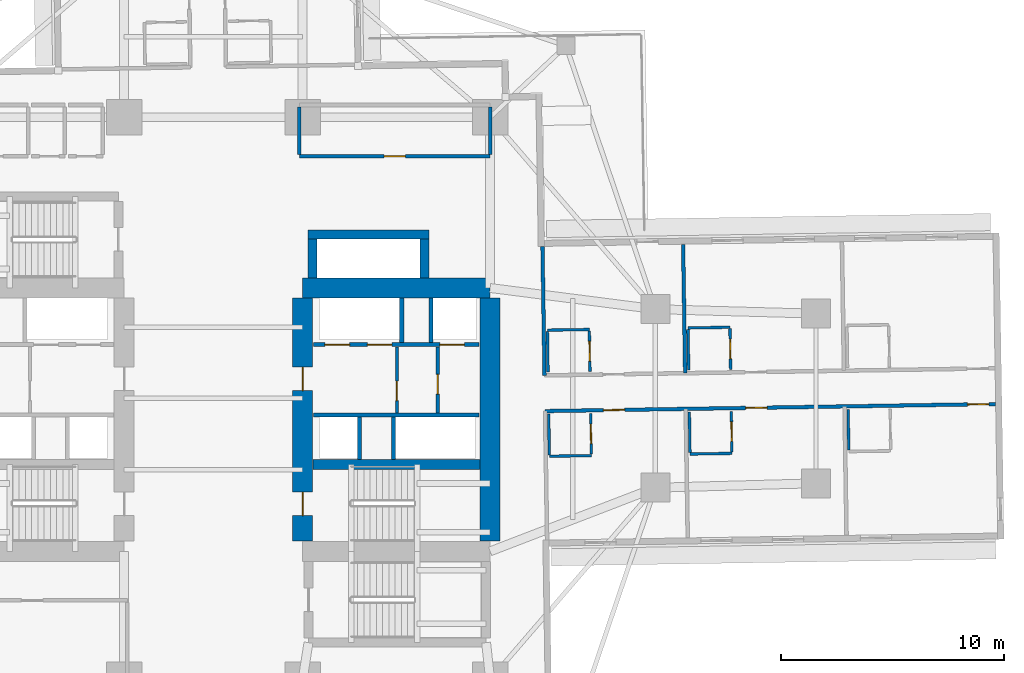
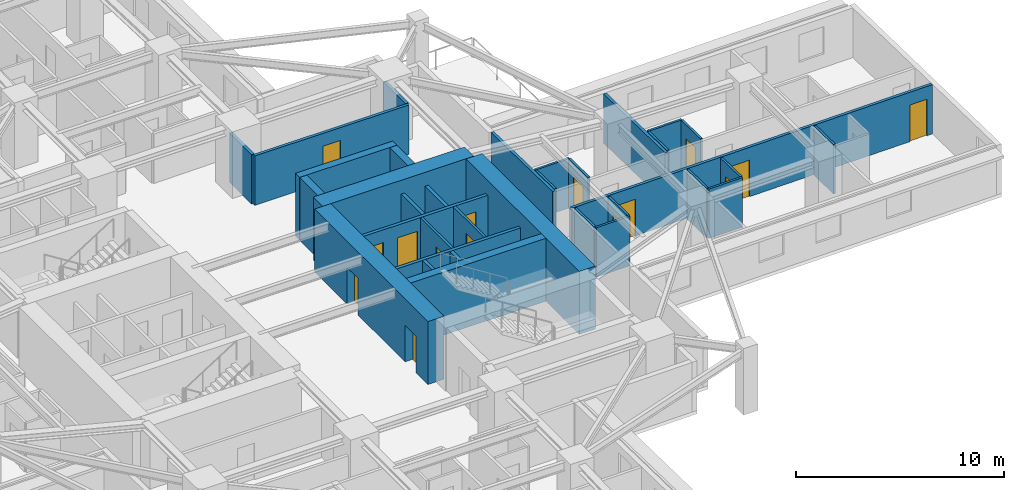
# One storey, part 7 of 14: 34 walls, 15 doors, 15 openings.
"""IFC4 building model written with IfcOpenShell, lengths in metres."""

from ifc_helpers import new_model, si_unit, direction, frame, frame_2d, origin, place, context, subcontext, project, spatial, rectangle, extrude, material, layer, layer_set, type_object, element, fill, save


model = new_model("IFC4")

# Units and contexts
model_context = context("Model", 3, precision=1e-05, world=origin(), true_north=direction((0.0, 1.0)))
body_context = subcontext(model_context, "Body", "Model", "MODEL_VIEW")
ifc_project = project(units=[si_unit("LENGTHUNIT", "METRE"), si_unit("AREAUNIT", "SQUARE_METRE"), si_unit("VOLUMEUNIT", "CUBIC_METRE"), si_unit("PLANEANGLEUNIT", "RADIAN"), si_unit("MASSUNIT", "GRAM", prefix="KILO")], contexts=[model_context])

# Site, building, storey
site_placement = place(None, origin())
site = spatial("IfcSite", under=ifc_project, at=site_placement, CompositionType="ELEMENT")
building_placement = place(site_placement, origin())
building = spatial("IfcBuilding", under=site, at=building_placement, Name="Qingluan Cross Belvedere", CompositionType="ELEMENT")
storey_placement = place(building_placement, frame((0.0, 0.0, 27.60009765625)))
storey = spatial("IfcBuildingStorey", under=building, at=storey_placement, Name="L07", CompositionType="ELEMENT", Elevation=27.60009765625)

# Walls
ifc_material_1 = material(Name="Concrete C50", Category="concrete")
ifc_layer_1 = layer(ifc_material_1, 0.449951171875, Name="CoreShearWall_450")
ifc_layer_set_1 = layer_set([ifc_layer_1], Name="Concrete C50")
wall_type_1 = type_object("IfcWallType", Name="CoreShearWall_450", PredefinedType="SHEAR", material=ifc_layer_set_1)
wall_1_placement = place(storey_placement, frame((4.455078125, -2.9599609375, 0.0), z_axis=(0.0, 0.0, 1.0), x_axis=(1.0, 0.0, 0.0)))
element("IfcWall", 1, at=wall_1_placement, inside=storey, type_object=wall_type_1, Name="Split core E shear wall L07-M", PredefinedType="SHEAR", context=body_context, shape_type="SweptSolid", body=[
    extrude(rectangle(XDim=7.489990234375, YDim=0.449951171875, at=frame_2d((3.7451171875, 0.0))), origin(), (0.0, 0.0, 1.0), 3.699951171875),
])
wall_2_placement = place(storey_placement, frame((4.449951171875, 5.405029296875, 0.0), z_axis=(0.0, 0.0, 1.0), x_axis=(0.0, 1.0, 0.0)))
element("IfcWall", 2, at=wall_2_placement, inside=storey, type_object=wall_type_1, Name="Express shuttle core wall L07-W", PredefinedType="SHEAR", context=body_context, shape_type="SweptSolid", body=[
    extrude(rectangle(XDim=1.73486328125, YDim=0.39990234375, at=frame_2d((0.867431640625, 0.0))), origin(), (0.0, 0.0, 1.0), 3.699951171875),
])
wall_3_placement = place(storey_placement, frame((4.25, 7.35009765625, 0.0), z_axis=(0.0, 0.0, 1.0), x_axis=(1.0, 0.0, 0.0)))
element("IfcWall", 3, at=wall_3_placement, inside=storey, type_object=wall_type_1, Name="Express shuttle core wall L07-N", PredefinedType="SHEAR", context=body_context, shape_type="SweptSolid", body=[
    extrude(rectangle(XDim=5.39990234375, YDim=0.39990234375, at=frame_2d((2.699951171875, 0.0))), origin(), (0.0, 0.0, 1.0), 3.699951171875),
])
wall_4_placement = place(storey_placement, frame((9.449951171875, 5.405029296875, 0.0), z_axis=(0.0, 0.0, 1.0), x_axis=(0.0, 1.0, 0.0)))
element("IfcWall", 4, at=wall_4_placement, inside=storey, type_object=wall_type_1, Name="Express shuttle core wall L07-E", PredefinedType="SHEAR", context=body_context, shape_type="SweptSolid", body=[
    extrude(rectangle(XDim=1.73486328125, YDim=0.39990234375, at=frame_2d((0.867431640625, 0.0))), origin(), (0.0, 0.0, 1.0), 3.699951171875),
])
ifc_material_2 = material(Name="Concrete C70", Category="concrete")
ifc_layer_2 = layer(ifc_material_2, 0.89990234375, Name="CoreShearWall_900")
ifc_layer_set_2 = layer_set([ifc_layer_2], Name="Concrete C70")
wall_type_2 = type_object("IfcWallType", Name="CoreShearWall_900", PredefinedType="SHEAR", material=ifc_layer_set_2)
wall_5_placement = place(storey_placement, frame((4.0, 4.949951171875, 0.0), z_axis=(0.0, 0.0, 1.0), x_axis=(1.0, 0.0, 0.0)))
element("IfcWall", 5, at=wall_5_placement, inside=storey, type_object=wall_type_2, Name="Split core E shear wall L07-N", PredefinedType="SHEAR", context=body_context, shape_type="SweptSolid", body=[
    extrude(rectangle(XDim=8.39990234375, YDim=0.89990234375, at=frame_2d((4.199951171875, 0.0))), origin(), (0.0, 0.0, 1.0), 3.699951171875),
])

# Wall, openings, doors
wall_6_placement = place(storey_placement, frame((4.0, -6.39501953125, 0.0), z_axis=(0.0, 0.0, 1.0), x_axis=(0.0, 1.0, 0.0)))
wall_6 = element("IfcWall", 6, at=wall_6_placement, inside=storey, type_object=wall_type_2, Name="Split core E shear wall L07-W", PredefinedType="SHEAR", context=body_context, shape_type="SweptSolid", body=[
    extrude(rectangle(XDim=10.89013671875, YDim=0.89990234375, at=frame_2d((5.445068359375, 0.0))), origin(), (0.0, 0.0, 1.0), 3.699951171875),
])
opening_1_placement = place(wall_6_placement, frame((1.14501953125, 0.0, 0.0)))
opening_1 = element("IfcOpeningElement", 7, at=opening_1_placement, cuts=wall_6, Name="Opening FD-B11", PredefinedType="OPENING", context=body_context, shape_type="SweptSolid", body=[
    extrude(rectangle(XDim=1.050048828125, YDim=2.14990234375, at=frame_2d((0.52490234375, 1.074951171875))), frame((0.0, 0.4599609375, 0.0), z_axis=(0.0, -1.0, 0.0), x_axis=(1.0, 0.0, 0.0)), (0.0, 0.0, 1.0), 0.919921875),
])
opening_2_placement = place(wall_6_placement, frame((6.7451171875, 0.0, 0.0)))
opening_2 = element("IfcOpeningElement", 8, at=opening_2_placement, cuts=wall_6, Name="Opening FD-B11", PredefinedType="OPENING", context=body_context, shape_type="SweptSolid", body=[
    extrude(rectangle(XDim=1.050048828125, YDim=2.14990234375, at=frame_2d((0.52490234375, 1.074951171875))), frame((0.0, 0.4599609375, 0.0), z_axis=(0.0, -1.0, 0.0), x_axis=(1.0, 0.0, 0.0)), (0.0, 0.0, 1.0), 0.919921875),
])
ifc_material_3 = material(Name="Steel Class B smoke-seal fire door", Category="steel")
door_type_1 = type_object("IfcDoorType", Name="StairLobbyFireDoor_FDB", OperationType="NOTDEFINED", PredefinedType="DOOR", material=ifc_material_3)
door_1_placement = place(opening_1_placement, origin())
door_1 = element("IfcDoor", 9, at=door_1_placement, inside=storey, type_object=door_type_1, Name="Smoke-proof stair ST2 fire door L07", OperationType="SINGLE_SWING_LEFT", OverallHeight=2.14990234375, OverallWidth=1.050048828125, PredefinedType="DOOR", context=body_context, shape_type="SweptSolid", body=[
    extrude(rectangle(XDim=1.050048828125, YDim=2.14990234375, at=frame_2d((0.52490234375, 1.074951171875))), frame((0.0, 0.02490234375, 0.0), z_axis=(0.0, -1.0, 0.0), x_axis=(1.0, 0.0, 0.0)), (0.0, 0.0, 1.0), 0.050048828125),
])
fill(opening_1, door_1)
door_2_placement = place(opening_2_placement, origin())
door_2 = element("IfcDoor", 10, at=door_2_placement, inside=storey, type_object=door_type_1, Name="Firefighting lobby East fire door L07", OperationType="SINGLE_SWING_LEFT", OverallHeight=2.14990234375, OverallWidth=1.050048828125, PredefinedType="DOOR", context=body_context, shape_type="SweptSolid", body=[
    extrude(rectangle(XDim=1.050048828125, YDim=2.14990234375, at=frame_2d((0.52490234375, 1.074951171875))), frame((0.0, 0.02490234375, 0.0), z_axis=(0.0, -1.0, 0.0), x_axis=(1.0, 0.0, 0.0)), (0.0, 0.0, 1.0), 0.050048828125),
])
fill(opening_2, door_2)

# Wall
wall_7_placement = place(storey_placement, frame((12.39990234375, -6.39501953125, 0.0), z_axis=(0.0, 0.0, 1.0), x_axis=(0.0, 1.0, 0.0)))
element("IfcWall", 11, at=wall_7_placement, inside=storey, type_object=wall_type_2, Name="Split core E shear wall L07-E", PredefinedType="SHEAR", context=body_context, shape_type="SweptSolid", body=[
    extrude(rectangle(XDim=10.89013671875, YDim=0.89990234375, at=frame_2d((5.445068359375, 0.0))), origin(), (0.0, 0.0, 1.0), 3.699951171875),
])

# Wall, opening, door
ifc_material_4 = material(Name="Gypsum plasterboard on steel stud acoustic partition", Category="steel")
ifc_layer_3 = layer(ifc_material_4, 0.159912109375, Name="CorridorPartition_160")
ifc_layer_set_3 = layer_set([ifc_layer_3], Name="Gypsum plasterboard on steel stud acoustic partition")
wall_type_3 = type_object("IfcWallType", Name="CorridorPartition_160", PredefinedType="PARTITIONING", material=ifc_layer_set_3)
wall_8_placement = place(storey_placement, frame((10.050048828125, -0.652099609375, 0.0), z_axis=(0.0, 0.0, 1.0), x_axis=(0.0, 1.0, 0.0)))
wall_8 = element("IfcWall", 12, at=wall_8_placement, inside=storey, type_object=wall_type_3, Name="Partition L07:ev", PredefinedType="PARTITIONING", context=body_context, shape_type="SweptSolid", body=[
    extrude(rectangle(XDim=2.962158203125, YDim=0.139892578125, at=frame_2d((1.48095703125, 0.0))), origin(), (0.0, 0.0, 1.0), 2.89990234375),
])
opening_3_placement = place(wall_8_placement, frame((0.85009765625, 0.0, 0.0)))
opening_3 = element("IfcOpeningElement", 13, at=opening_3_placement, cuts=wall_8, Name="Opening FD-B10", PredefinedType="OPENING", context=body_context, shape_type="SweptSolid", body=[
    extrude(rectangle(XDim=0.8798828125, YDim=2.10009765625, at=frame_2d((0.43994140625, 1.050048828125))), frame((0.0, 0.079833984375, 0.0), z_axis=(0.0, -1.0, 0.0), x_axis=(1.0, 0.0, 0.0)), (0.0, 0.0, 1.0), 0.159912109375),
])
ifc_material_5 = material(Name="Steel Class B service fire door", Category="steel")
door_type_2 = type_object("IfcDoorType", Name="RiserServiceFireDoor_FDB", OperationType="NOTDEFINED", PredefinedType="DOOR", material=ifc_material_5)
door_3_placement = place(opening_3_placement, origin())
door_3 = element("IfcDoor", 14, at=door_3_placement, inside=storey, type_object=door_type_2, Name="Service closet inner door L07", OperationType="SINGLE_SWING_LEFT", OverallHeight=2.10009765625, OverallWidth=0.8798828125, PredefinedType="DOOR", context=body_context, shape_type="SweptSolid", body=[
    extrude(rectangle(XDim=0.8798828125, YDim=2.10009765625, at=frame_2d((0.43994140625, 1.050048828125))), frame((0.0, 0.02490234375, 0.0), z_axis=(0.0, -1.0, 0.0), x_axis=(1.0, 0.0, 0.0)), (0.0, 0.0, 1.0), 0.050048828125),
])
fill(opening_3, door_3)

wall_9_placement = place(storey_placement, frame((3.85009765625, 10.85009765625, 0.0), z_axis=(0.0, 0.0, 1.0), x_axis=(1.0, 0.0, 0.0)))
wall_9 = element("IfcWall", 15, at=wall_9_placement, inside=storey, type_object=wall_type_3, Name="Partition L07:q_ne:S", PredefinedType="PARTITIONING", context=body_context, shape_type="SweptSolid", body=[
    extrude(rectangle(XDim=8.5498046875, YDim=0.159912109375, at=frame_2d((4.27490234375, 0.0))), origin(), (0.0, 0.0, 1.0), 2.89990234375),
])
opening_4_placement = place(wall_9_placement, frame((3.794921875, 0.0, 0.0)))
opening_4 = element("IfcOpeningElement", 16, at=opening_4_placement, cuts=wall_9, Name="Opening GD-10", PredefinedType="OPENING", context=body_context, shape_type="SweptSolid", body=[
    extrude(rectangle(XDim=0.9599609375, YDim=2.14990234375, at=frame_2d((0.47998046875, 1.074951171875))), frame((0.0, 0.08984375, 0.0), z_axis=(0.0, -1.0, 0.0), x_axis=(1.0, 0.0, 0.0)), (0.0, 0.0, 1.0), 0.179931640625),
])
ifc_material_6 = material(Name="Timber oak fire-rated acoustic guestroom door", Category="wood")
door_type_3 = type_object("IfcDoorType", Name="GuestEntryDoor_FD60", OperationType="NOTDEFINED", PredefinedType="DOOR", material=ifc_material_6)
door_4_placement = place(opening_4_placement, origin())
door_4 = element("IfcDoor", 17, at=door_4_placement, inside=storey, type_object=door_type_3, Name="Club reading lounge L07 door", OperationType="SINGLE_SWING_LEFT", OverallHeight=2.14990234375, OverallWidth=0.9599609375, PredefinedType="DOOR", context=body_context, shape_type="SweptSolid", body=[
    extrude(rectangle(XDim=0.9599609375, YDim=2.14990234375, at=frame_2d((0.47998046875, 1.074951171875))), frame((0.0, 0.02490234375, 0.0), z_axis=(0.0, -1.0, 0.0), x_axis=(1.0, 0.0, 0.0)), (0.0, 0.0, 1.0), 0.050048828125),
])
fill(opening_4, door_4)

# Walls
for number, where, z_axis, x_axis, name in (
    (18, (3.85009765625, 10.93505859375, 0.0), (0.0, 0.0, 1.0), (0.0, 1.0, 0.0), "Partition L07:q_ne:W"),
    (19, (12.39990234375, 10.93505859375, 0.0), (0.0, 0.0, 1.0), (0.0, 1.0, 0.0), "Partition L07:q_ne:E"),
):
    element("IfcWall", number, at=place(storey_placement, frame(where, z_axis=z_axis, x_axis=x_axis)), inside=storey, type_object=wall_type_3, Name=name, PredefinedType="PARTITIONING", context=body_context, shape_type="SweptSolid", body=[
        extrude(rectangle(XDim=2.1298828125, YDim=0.159912109375, at=frame_2d((1.06494140625, 0.0))), origin(), (0.0, 0.0, 1.0), 2.89990234375),
    ])
for number, where, z_axis, x_axis, name in (
    (20, (14.835693359375, 1.033203125, 0.0), (0.0, 0.0, 1.0), (-0.015734758102, 0.999876201031, 0.0), "Partition L07:E:s0"),
    (21, (21.13671875, 1.132080078125, 0.0), (0.0, 0.0, 1.0), (-0.015692470796, 0.999876865599, 0.0), "Partition L07:E:d0_0"),
):
    element("IfcWall", number, at=place(storey_placement, frame(where, z_axis=z_axis, x_axis=x_axis)), inside=storey, type_object=wall_type_3, Name=name, PredefinedType="PARTITIONING", context=body_context, shape_type="SweptSolid", body=[
        extrude(rectangle(XDim=5.77197265625, YDim=0.159912109375, at=frame_2d((2.885986328125, 0.0))), origin(), (0.0, 0.0, 1.0), 2.89990234375),
    ])

# Wall, openings, doors
wall_10_placement = place(storey_placement, frame((14.860595703125, -0.566650390625, 0.0), z_axis=(0.0, 0.0, 1.0), x_axis=(0.999876530668, 0.015713797103, 0.0)))
wall_10 = element("IfcWall", 22, at=wall_10_placement, inside=storey, type_object=wall_type_3, Name="Partition L07:E:c1", PredefinedType="PARTITIONING", context=body_context, shape_type="SweptSolid", body=[
    extrude(rectangle(XDim=20.18212890625, YDim=0.159912109375, at=frame_2d((10.091064453125, 0.0))), origin(), (0.0, 0.0, 1.0), 2.89990234375),
])
opening_5_placement = place(wall_10_placement, frame((2.610107421875, 0.0, 0.0)))
opening_5 = element("IfcOpeningElement", 23, at=opening_5_placement, cuts=wall_10, Name="Opening GD-10", PredefinedType="OPENING", context=body_context, shape_type="SweptSolid", body=[
    extrude(rectangle(XDim=0.9599609375, YDim=2.14990234375, at=frame_2d((0.47998046875, 1.074951171875))), frame((0.0, 0.08984375, 0.0), z_axis=(0.0, -1.0, 0.0), x_axis=(1.0, 0.0, 0.0)), (0.0, 0.0, 1.0), 0.179931640625),
])
opening_6_placement = place(wall_10_placement, frame((8.993896484375, 0.0, 0.0)))
opening_6 = element("IfcOpeningElement", 24, at=opening_6_placement, cuts=wall_10, Name="Opening GD-10", PredefinedType="OPENING", context=body_context, shape_type="SweptSolid", body=[
    extrude(rectangle(XDim=0.9599609375, YDim=2.14990234375, at=frame_2d((0.47998046875, 1.074951171875))), frame((0.0, 0.08984375, 0.0), z_axis=(0.0, -1.0, 0.0), x_axis=(1.0, 0.0, 0.0)), (0.0, 0.0, 1.0), 0.179931640625),
])
opening_7_placement = place(wall_10_placement, frame((18.929931640625, 0.0, 0.0)))
opening_7 = element("IfcOpeningElement", 25, at=opening_7_placement, cuts=wall_10, Name="Opening GD-10", PredefinedType="OPENING", context=body_context, shape_type="SweptSolid", body=[
    extrude(rectangle(XDim=0.9599609375, YDim=2.14990234375, at=frame_2d((0.47998046875, 1.074951171875))), frame((0.0, 0.08984375, 0.0), z_axis=(0.0, -1.0, 0.0), x_axis=(1.0, 0.0, 0.0)), (0.0, 0.0, 1.0), 0.179931640625),
])
door_5_placement = place(opening_5_placement, origin())
door_5 = element("IfcDoor", 26, at=door_5_placement, inside=storey, type_object=door_type_3, Name="Guest entry fire door 0704", OperationType="SINGLE_SWING_LEFT", OverallHeight=2.14990234375, OverallWidth=0.9599609375, PredefinedType="DOOR", context=body_context, shape_type="SweptSolid", body=[
    extrude(rectangle(XDim=0.9599609375, YDim=2.14990234375, at=frame_2d((0.47998046875, 1.074951171875))), frame((0.0, 0.02490234375, 0.0), z_axis=(0.0, -1.0, 0.0), x_axis=(1.0, 0.0, 0.0)), (0.0, 0.0, 1.0), 0.050048828125),
])
fill(opening_5, door_5)
door_6_placement = place(opening_6_placement, origin())
door_6 = element("IfcDoor", 27, at=door_6_placement, inside=storey, type_object=door_type_3, Name="Guest entry fire door 0705", OperationType="SINGLE_SWING_LEFT", OverallHeight=2.14990234375, OverallWidth=0.9599609375, PredefinedType="DOOR", context=body_context, shape_type="SweptSolid", body=[
    extrude(rectangle(XDim=0.9599609375, YDim=2.14990234375, at=frame_2d((0.47998046875, 1.074951171875))), frame((0.0, 0.02490234375, 0.0), z_axis=(0.0, -1.0, 0.0), x_axis=(1.0, 0.0, 0.0)), (0.0, 0.0, 1.0), 0.050048828125),
])
fill(opening_6, door_6)
door_7_placement = place(opening_7_placement, origin())
door_7 = element("IfcDoor", 28, at=door_7_placement, inside=storey, type_object=door_type_3, Name="Guest entry fire door 0706", OperationType="SINGLE_SWING_LEFT", OverallHeight=2.14990234375, OverallWidth=0.9599609375, PredefinedType="DOOR", context=body_context, shape_type="SweptSolid", body=[
    extrude(rectangle(XDim=0.9599609375, YDim=2.14990234375, at=frame_2d((0.47998046875, 1.074951171875))), frame((0.0, 0.02490234375, 0.0), z_axis=(0.0, -1.0, 0.0), x_axis=(1.0, 0.0, 0.0)), (0.0, 0.0, 1.0), 0.050048828125),
])
fill(opening_7, door_7)

# Wall, opening, door
ifc_material_7 = material(Name="Moisture-resistant gypsum board lining")
ifc_layer_4 = layer(ifc_material_7, 0.1201171875, Name="EnsuiteWetPartition_120")
ifc_layer_set_4 = layer_set([ifc_layer_4], Name="Moisture-resistant gypsum board lining")
wall_type_4 = type_object("IfcWallType", Name="EnsuiteWetPartition_120", PredefinedType="PARTITIONING", material=ifc_layer_set_4)
wall_11_placement = place(storey_placement, frame((16.873291015625, 1.205078125, 0.0), z_axis=(0.0, 0.0, 1.0), x_axis=(-0.015828443418, 0.999874722342, 0.0)))
wall_11 = element("IfcWall", 29, at=wall_11_placement, inside=storey, type_object=wall_type_4, Name="Partition L07:E:bs0_0", PredefinedType="PARTITIONING", context=body_context, shape_type="SweptSolid", body=[
    extrude(rectangle(XDim=1.820068359375, YDim=0.1201171875, at=frame_2d((0.91015625, 0.0))), origin(), (0.0, 0.0, 1.0), 2.89990234375),
])
opening_8_placement = place(wall_11_placement, frame((0.469970703125, 0.0, 0.0)))
opening_8 = element("IfcOpeningElement", 30, at=opening_8_placement, cuts=wall_11, Name="Opening BD-09", PredefinedType="OPENING", context=body_context, shape_type="SweptSolid", body=[
    extrude(rectangle(XDim=0.8798828125, YDim=2.10009765625, at=frame_2d((0.43994140625, 1.050048828125))), frame((0.0, 0.070068359375, 0.0), z_axis=(0.0, -1.0, 0.0), x_axis=(1.0, 0.0, 0.0)), (0.0, 0.0, 1.0), 0.14013671875),
])
ifc_material_8 = material(Name="Moisture-sealed timber en-suite door", Category="wood")
door_type_4 = type_object("IfcDoorType", Name="BathroomDoor_880", OperationType="NOTDEFINED", PredefinedType="DOOR", material=ifc_material_8)
door_8_placement = place(opening_8_placement, origin())
door_8 = element("IfcDoor", 31, at=door_8_placement, inside=storey, type_object=door_type_4, Name="Bathroom door 0701", OperationType="SINGLE_SWING_RIGHT", OverallHeight=2.10009765625, OverallWidth=0.8798828125, PredefinedType="DOOR", context=body_context, shape_type="SweptSolid", body=[
    extrude(rectangle(XDim=0.8798828125, YDim=2.10009765625, at=frame_2d((0.43994140625, 1.050048828125))), frame((0.0, 0.02490234375, 0.0), z_axis=(0.0, -1.0, 0.0), x_axis=(1.0, 0.0, 0.0)), (0.0, 0.0, 1.0), 0.050048828125),
])
fill(opening_8, door_8)

# Walls
wall_12_placement = place(storey_placement, frame((14.993408203125, 1.17578125, 0.0), z_axis=(0.0, 0.0, 1.0), x_axis=(-0.015696442504, 0.999876803258, 0.0)))
element("IfcWall", 32, at=wall_12_placement, inside=storey, type_object=wall_type_4, Name="Partition L07:E:bw0_0", PredefinedType="PARTITIONING", context=body_context, shape_type="SweptSolid", body=[
    extrude(rectangle(XDim=1.81982421875, YDim=0.1201171875, at=frame_2d((0.909912109375, 0.0))), origin(), (0.0, 0.0, 1.0), 2.89990234375),
])
wall_13_placement = place(storey_placement, frame((14.9638671875, 3.060302734375, 0.0), z_axis=(0.0, 0.0, 1.0), x_axis=(0.99987652141, 0.015714386166, 0.0)))
element("IfcWall", 33, at=wall_13_placement, inside=storey, type_object=wall_type_4, Name="Partition L07:E:bn0_0", PredefinedType="PARTITIONING", context=body_context, shape_type="SweptSolid", body=[
    extrude(rectangle(XDim=1.8798828125, YDim=0.1201171875, at=frame_2d((0.93994140625, 0.0))), origin(), (0.0, 0.0, 1.0), 2.89990234375),
])

# Wall, opening, door
wall_14_placement = place(storey_placement, frame((23.17431640625, 1.30419921875, 0.0), z_axis=(0.0, 0.0, 1.0), x_axis=(-0.015696442504, 0.999876803258, 0.0)))
wall_14 = element("IfcWall", 34, at=wall_14_placement, inside=storey, type_object=wall_type_4, Name="Partition L07:E:bs0_1", PredefinedType="PARTITIONING", context=body_context, shape_type="SweptSolid", body=[
    extrude(rectangle(XDim=1.81982421875, YDim=0.1201171875, at=frame_2d((0.909912109375, 0.0))), origin(), (0.0, 0.0, 1.0), 2.89990234375),
])
opening_9_placement = place(wall_14_placement, frame((0.469970703125, 0.0, 0.0)))
opening_9 = element("IfcOpeningElement", 35, at=opening_9_placement, cuts=wall_14, Name="Opening BD-09", PredefinedType="OPENING", context=body_context, shape_type="SweptSolid", body=[
    extrude(rectangle(XDim=0.8798828125, YDim=2.10009765625, at=frame_2d((0.43994140625, 1.050048828125))), frame((0.0, 0.070068359375, 0.0), z_axis=(0.0, -1.0, 0.0), x_axis=(1.0, 0.0, 0.0)), (0.0, 0.0, 1.0), 0.14013671875),
])
door_9_placement = place(opening_9_placement, origin())
door_9 = element("IfcDoor", 36, at=door_9_placement, inside=storey, type_object=door_type_4, Name="Bathroom door 0702", OperationType="SINGLE_SWING_RIGHT", OverallHeight=2.10009765625, OverallWidth=0.8798828125, PredefinedType="DOOR", context=body_context, shape_type="SweptSolid", body=[
    extrude(rectangle(XDim=0.8798828125, YDim=2.10009765625, at=frame_2d((0.43994140625, 1.050048828125))), frame((0.0, 0.02490234375, 0.0), z_axis=(0.0, -1.0, 0.0), x_axis=(1.0, 0.0, 0.0)), (0.0, 0.0, 1.0), 0.050048828125),
])
fill(opening_9, door_9)

# Walls
wall_15_placement = place(storey_placement, frame((21.294677734375, 1.274658203125, 0.0), z_axis=(0.0, 0.0, 1.0), x_axis=(-0.015694337248, 0.999876836305, 0.0)))
element("IfcWall", 37, at=wall_15_placement, inside=storey, type_object=wall_type_4, Name="Partition L07:E:bw0_1", PredefinedType="PARTITIONING", context=body_context, shape_type="SweptSolid", body=[
    extrude(rectangle(XDim=1.820068359375, YDim=0.1201171875, at=frame_2d((0.91015625, 0.0))), origin(), (0.0, 0.0, 1.0), 2.89990234375),
])
wall_16_placement = place(storey_placement, frame((21.264892578125, 3.159423828125, 0.0), z_axis=(0.0, 0.0, 1.0), x_axis=(0.999876553475, 0.01571234584, 0.0)))
element("IfcWall", 38, at=wall_16_placement, inside=storey, type_object=wall_type_4, Name="Partition L07:E:bn0_1", PredefinedType="PARTITIONING", context=body_context, shape_type="SweptSolid", body=[
    extrude(rectangle(XDim=1.880126953125, YDim=0.1201171875, at=frame_2d((0.93994140625, 0.0))), origin(), (0.0, 0.0, 1.0), 2.89990234375),
])

# Wall, opening, door
wall_17_placement = place(storey_placement, frame((16.931396484375, -2.494384765625, 0.0), z_axis=(0.0, 0.0, 1.0), x_axis=(-0.015828443418, 0.999874722342, 0.0)))
wall_17 = element("IfcWall", 39, at=wall_17_placement, inside=storey, type_object=wall_type_4, Name="Partition L07:E:bs1_0", PredefinedType="PARTITIONING", context=body_context, shape_type="SweptSolid", body=[
    extrude(rectangle(XDim=1.820068359375, YDim=0.1201171875, at=frame_2d((0.91015625, 0.0))), origin(), (0.0, 0.0, 1.0), 2.89990234375),
])
opening_10_placement = place(wall_17_placement, frame((0.469970703125, 0.0, 0.0)))
opening_10 = element("IfcOpeningElement", 40, at=opening_10_placement, cuts=wall_17, Name="Opening BD-09", PredefinedType="OPENING", context=body_context, shape_type="SweptSolid", body=[
    extrude(rectangle(XDim=0.8798828125, YDim=2.10009765625, at=frame_2d((0.43994140625, 1.050048828125))), frame((0.0, 0.070068359375, 0.0), z_axis=(0.0, -1.0, 0.0), x_axis=(1.0, 0.0, 0.0)), (0.0, 0.0, 1.0), 0.14013671875),
])
door_10_placement = place(opening_10_placement, origin())
door_10 = element("IfcDoor", 41, at=door_10_placement, inside=storey, type_object=door_type_4, Name="Bathroom door 0704", OperationType="SINGLE_SWING_RIGHT", OverallHeight=2.10009765625, OverallWidth=0.8798828125, PredefinedType="DOOR", context=body_context, shape_type="SweptSolid", body=[
    extrude(rectangle(XDim=0.8798828125, YDim=2.10009765625, at=frame_2d((0.43994140625, 1.050048828125))), frame((0.0, 0.02490234375, 0.0), z_axis=(0.0, -1.0, 0.0), x_axis=(1.0, 0.0, 0.0)), (0.0, 0.0, 1.0), 0.050048828125),
])
fill(opening_10, door_10)

# Walls
wall_18_placement = place(storey_placement, frame((15.051513671875, -2.52392578125, 0.0), z_axis=(0.0, 0.0, 1.0), x_axis=(-0.015694337248, 0.999876836305, 0.0)))
element("IfcWall", 42, at=wall_18_placement, inside=storey, type_object=wall_type_4, Name="Partition L07:E:bw1_0", PredefinedType="PARTITIONING", context=body_context, shape_type="SweptSolid", body=[
    extrude(rectangle(XDim=1.820068359375, YDim=0.1201171875, at=frame_2d((0.91015625, 0.0))), origin(), (0.0, 0.0, 1.0), 2.89990234375),
])
wall_19_placement = place(storey_placement, frame((15.052490234375, -2.5888671875, 0.0), z_axis=(0.0, 0.0, 1.0), x_axis=(0.999876553475, 0.01571234584, 0.0)))
element("IfcWall", 43, at=wall_19_placement, inside=storey, type_object=wall_type_4, Name="Partition L07:E:bc1_0", PredefinedType="PARTITIONING", context=body_context, shape_type="SweptSolid", body=[
    extrude(rectangle(XDim=1.880126953125, YDim=0.1201171875, at=frame_2d((0.93994140625, 0.0))), origin(), (0.0, 0.0, 1.0), 2.89990234375),
])

# Wall, opening, door
wall_20_placement = place(storey_placement, frame((23.232421875, -2.3955078125, 0.0), z_axis=(0.0, 0.0, 1.0), x_axis=(-0.015694337248, 0.999876836305, 0.0)))
wall_20 = element("IfcWall", 44, at=wall_20_placement, inside=storey, type_object=wall_type_4, Name="Partition L07:E:bs1_1", PredefinedType="PARTITIONING", context=body_context, shape_type="SweptSolid", body=[
    extrude(rectangle(XDim=1.820068359375, YDim=0.1201171875, at=frame_2d((0.91015625, 0.0))), origin(), (0.0, 0.0, 1.0), 2.89990234375),
])
opening_11_placement = place(wall_20_placement, frame((0.469970703125, 0.0, 0.0)))
opening_11 = element("IfcOpeningElement", 45, at=opening_11_placement, cuts=wall_20, Name="Opening BD-09", PredefinedType="OPENING", context=body_context, shape_type="SweptSolid", body=[
    extrude(rectangle(XDim=0.8798828125, YDim=2.10009765625, at=frame_2d((0.43994140625, 1.050048828125))), frame((0.0, 0.070068359375, 0.0), z_axis=(0.0, -1.0, 0.0), x_axis=(1.0, 0.0, 0.0)), (0.0, 0.0, 1.0), 0.14013671875),
])
door_11_placement = place(opening_11_placement, origin())
door_11 = element("IfcDoor", 46, at=door_11_placement, inside=storey, type_object=door_type_4, Name="Bathroom door 0705", OperationType="SINGLE_SWING_RIGHT", OverallHeight=2.10009765625, OverallWidth=0.8798828125, PredefinedType="DOOR", context=body_context, shape_type="SweptSolid", body=[
    extrude(rectangle(XDim=0.8798828125, YDim=2.10009765625, at=frame_2d((0.43994140625, 1.050048828125))), frame((0.0, 0.02490234375, 0.0), z_axis=(0.0, -1.0, 0.0), x_axis=(1.0, 0.0, 0.0)), (0.0, 0.0, 1.0), 0.050048828125),
])
fill(opening_11, door_11)

# Walls
wall_21_placement = place(storey_placement, frame((21.352783203125, -2.4248046875, 0.0), z_axis=(0.0, 0.0, 1.0), x_axis=(-0.015694337248, 0.999876836305, 0.0)))
element("IfcWall", 47, at=wall_21_placement, inside=storey, type_object=wall_type_4, Name="Partition L07:E:bw1_1", PredefinedType="PARTITIONING", context=body_context, shape_type="SweptSolid", body=[
    extrude(rectangle(XDim=1.820068359375, YDim=0.1201171875, at=frame_2d((0.91015625, 0.0))), origin(), (0.0, 0.0, 1.0), 2.89990234375),
])
wall_22_placement = place(storey_placement, frame((21.353759765625, -2.489990234375, 0.0), z_axis=(0.0, 0.0, 1.0), x_axis=(0.99987652141, 0.015714386166, 0.0)))
element("IfcWall", 48, at=wall_22_placement, inside=storey, type_object=wall_type_4, Name="Partition L07:E:bc1_1", PredefinedType="PARTITIONING", context=body_context, shape_type="SweptSolid", body=[
    extrude(rectangle(XDim=1.8798828125, YDim=0.1201171875, at=frame_2d((0.93994140625, 0.0))), origin(), (0.0, 0.0, 1.0), 2.89990234375),
])
wall_23_placement = place(storey_placement, frame((28.4677734375, -2.31298828125, 0.0), z_axis=(0.0, 0.0, 1.0), x_axis=(-0.015696442504, 0.999876803258, 0.0)))
element("IfcWall", 49, at=wall_23_placement, inside=storey, type_object=wall_type_4, Name="Partition L07:E:bw1_2", PredefinedType="PARTITIONING", context=body_context, shape_type="SweptSolid", body=[
    extrude(rectangle(XDim=1.81982421875, YDim=0.1201171875, at=frame_2d((0.909912109375, 0.0))), origin(), (0.0, 0.0, 1.0), 2.89990234375),
])

# Wall, openings, doors
ifc_material_9 = material(Name="Concrete C40", Category="concrete")
ifc_layer_5 = layer(ifc_material_9, 0.219970703125, Name="ShaftEnclosureWall_250")
ifc_layer_set_5 = layer_set([ifc_layer_5], Name="Concrete C40")
wall_type_5 = type_object("IfcWallType", Name="ShaftEnclosureWall_250", PredefinedType="SOLIDWALL", material=ifc_layer_set_5)
wall_24_placement = place(storey_placement, frame((4.47998046875, 2.409912109375, 0.0), z_axis=(0.0, 0.0, 1.0), x_axis=(1.0, 0.0, 0.0)))
wall_24 = element("IfcWall", 50, at=wall_24_placement, inside=storey, type_object=wall_type_5, Name="Core-E north hoistway wall L07", PredefinedType="SOLIDWALL", context=body_context, shape_type="SweptSolid", body=[
    extrude(rectangle(XDim=7.419921875, YDim=0.179931640625, at=frame_2d((3.7099609375, 0.0))), origin(), (0.0, 0.0, 1.0), 2.89990234375),
])
opening_12_placement = place(wall_24_placement, frame((5.669921875, 0.0, 0.0)))
opening_12 = element("IfcOpeningElement", 51, at=opening_12_placement, cuts=wall_24, Name="Opening LD-11", PredefinedType="OPENING", context=body_context, shape_type="SweptSolid", body=[
    extrude(rectangle(XDim=1.10009765625, YDim=2.14990234375, at=frame_2d((0.550048828125, 1.074951171875))), frame((0.0, 0.099853515625, 0.0), z_axis=(0.0, -1.0, 0.0), x_axis=(1.0, 0.0, 0.0)), (0.0, 0.0, 1.0), 0.199951171875),
])
opening_13_placement = place(wall_24_placement, frame((0.52001953125, 0.0, 0.0)))
opening_13 = element("IfcOpeningElement", 52, at=opening_13_placement, cuts=wall_24, Name="Opening LD-11", PredefinedType="OPENING", context=body_context, shape_type="SweptSolid", body=[
    extrude(rectangle(XDim=1.10009765625, YDim=2.14990234375, at=frame_2d((0.550048828125, 1.074951171875))), frame((0.0, 0.099853515625, 0.0), z_axis=(0.0, -1.0, 0.0), x_axis=(1.0, 0.0, 0.0)), (0.0, 0.0, 1.0), 0.199951171875),
])
opening_14_placement = place(wall_24_placement, frame((2.419921875, 0.0, 0.0)))
opening_14 = element("IfcOpeningElement", 53, at=opening_14_placement, cuts=wall_24, Name="Opening LD-11", PredefinedType="OPENING", context=body_context, shape_type="SweptSolid", body=[
    extrude(rectangle(XDim=1.10009765625, YDim=2.14990234375, at=frame_2d((0.550048828125, 1.074951171875))), frame((0.0, 0.099853515625, 0.0), z_axis=(0.0, -1.0, 0.0), x_axis=(1.0, 0.0, 0.0)), (0.0, 0.0, 1.0), 0.199951171875),
])
ifc_material_10 = material(Name="Brushed stainless steel centre-opening lift landing door", Category="steel")
door_type_5 = type_object("IfcDoorType", Name="LiftLandingSlidingDoor_1100", OperationType="DOUBLE_DOOR_SLIDING", PredefinedType="DOOR", material=ifc_material_10)
door_12_placement = place(opening_12_placement, origin())
door_12 = element("IfcDoor", 54, at=door_12_placement, inside=storey, type_object=door_type_5, Name="Lift landing sliding door FL2 L07", OperationType="DOUBLE_DOOR_SLIDING", OverallHeight=2.14990234375, OverallWidth=1.10009765625, PredefinedType="DOOR", context=body_context, shape_type="SweptSolid", body=[
    extrude(rectangle(XDim=1.10009765625, YDim=2.14990234375, at=frame_2d((0.550048828125, 1.074951171875))), frame((0.0, 0.02490234375, 0.0), z_axis=(0.0, -1.0, 0.0), x_axis=(1.0, 0.0, 0.0)), (0.0, 0.0, 1.0), 0.050048828125),
])
fill(opening_12, door_12)
door_13_placement = place(opening_13_placement, origin())
door_13 = element("IfcDoor", 55, at=door_13_placement, inside=storey, type_object=door_type_5, Name="Lift landing sliding door LP3 L07", OperationType="DOUBLE_DOOR_SLIDING", OverallHeight=2.14990234375, OverallWidth=1.10009765625, PredefinedType="DOOR", context=body_context, shape_type="SweptSolid", body=[
    extrude(rectangle(XDim=1.10009765625, YDim=2.14990234375, at=frame_2d((0.550048828125, 1.074951171875))), frame((0.0, 0.02490234375, 0.0), z_axis=(0.0, -1.0, 0.0), x_axis=(1.0, 0.0, 0.0)), (0.0, 0.0, 1.0), 0.050048828125),
])
fill(opening_13, door_13)
door_14_placement = place(opening_14_placement, origin())
door_14 = element("IfcDoor", 56, at=door_14_placement, inside=storey, type_object=door_type_5, Name="Lift landing sliding door LP4 L07", OperationType="DOUBLE_DOOR_SLIDING", OverallHeight=2.14990234375, OverallWidth=1.10009765625, PredefinedType="DOOR", context=body_context, shape_type="SweptSolid", body=[
    extrude(rectangle(XDim=1.10009765625, YDim=2.14990234375, at=frame_2d((0.550048828125, 1.074951171875))), frame((0.0, 0.02490234375, 0.0), z_axis=(0.0, -1.0, 0.0), x_axis=(1.0, 0.0, 0.0)), (0.0, 0.0, 1.0), 0.050048828125),
])
fill(opening_14, door_14)

# Walls
wall_25_placement = place(storey_placement, frame((4.47998046875, -0.75, 0.0), z_axis=(0.0, 0.0, 1.0), x_axis=(1.0, 0.0, 0.0)))
element("IfcWall", 57, at=wall_25_placement, inside=storey, type_object=wall_type_5, Name="Core-E mid hoistway wall L07", PredefinedType="SOLIDWALL", context=body_context, shape_type="SweptSolid", body=[
    extrude(rectangle(XDim=7.419921875, YDim=0.179931640625, at=frame_2d((3.7099609375, 0.0))), origin(), (0.0, 0.0, 1.0), 2.89990234375),
])
for number, where, z_axis, x_axis, name in (
    (58, (8.43994140625, 2.5, 0.0), (0.0, 0.0, 1.0), (0.0, 1.0, 0.0), "Hoistway enclosure divider LP4E L07"),
    (59, (9.760009765625, 2.5, 0.0), (0.0, 0.0, 1.0), (0.0, 1.0, 0.0), "Hoistway enclosure divider FL2W L07"),
):
    element("IfcWall", number, at=place(storey_placement, frame(where, z_axis=z_axis, x_axis=x_axis)), inside=storey, type_object=wall_type_5, Name=name, PredefinedType="SOLIDWALL", context=body_context, shape_type="SweptSolid", body=[
        extrude(rectangle(XDim=1.989990234375, YDim=0.179931640625, at=frame_2d((0.9951171875, 0.0))), origin(), (0.0, 0.0, 1.0), 2.89990234375),
    ])
for number, where, z_axis, x_axis, name in (
    (60, (6.5400390625, -2.72998046875, 0.0), (0.0, 0.0, 1.0), (0.0, 1.0, 0.0), "Hoistway enclosure divider LP7E L07"),
    (61, (8.06005859375, -2.72998046875, 0.0), (0.0, 0.0, 1.0), (0.0, 1.0, 0.0), "Hoistway enclosure divider LP9W L07"),
):
    element("IfcWall", number, at=place(storey_placement, frame(where, z_axis=z_axis, x_axis=x_axis)), inside=storey, type_object=wall_type_5, Name=name, PredefinedType="SOLIDWALL", context=body_context, shape_type="SweptSolid", body=[
        extrude(rectangle(XDim=1.889892578125, YDim=0.179931640625, at=frame_2d((0.94482421875, 0.0))), origin(), (0.0, 0.0, 1.0), 2.89990234375),
    ])

# Wall, opening, door
wall_26_placement = place(storey_placement, frame((8.219970703125, -0.64990234375, 0.0), z_axis=(0.0, 0.0, 1.0), x_axis=(0.0, 1.0, 0.0)))
wall_26 = element("IfcWall", 62, at=wall_26_placement, inside=storey, type_object=wall_type_5, Name="Core-E service corridor wall L07", PredefinedType="SOLIDWALL", context=body_context, shape_type="SweptSolid", body=[
    extrude(rectangle(XDim=2.9599609375, YDim=0.139892578125, at=frame_2d((1.47998046875, 0.0))), origin(), (0.0, 0.0, 1.0), 2.89990234375),
])
opening_15_placement = place(wall_26_placement, frame((0.550048828125, 0.0, 0.0)))
opening_15 = element("IfcOpeningElement", 63, at=opening_15_placement, cuts=wall_26, Name="Opening FD-B10", PredefinedType="OPENING", context=body_context, shape_type="SweptSolid", body=[
    extrude(rectangle(XDim=0.8798828125, YDim=2.10009765625, at=frame_2d((0.43994140625, 1.050048828125))), frame((0.0, 0.079833984375, 0.0), z_axis=(0.0, -1.0, 0.0), x_axis=(1.0, 0.0, 0.0)), (0.0, 0.0, 1.0), 0.159912109375),
])
door_15_placement = place(opening_15_placement, origin())
door_15 = element("IfcDoor", 64, at=door_15_placement, inside=storey, type_object=door_type_2, Name="Core-E service room door L07", OperationType="SINGLE_SWING_LEFT", OverallHeight=2.10009765625, OverallWidth=0.8798828125, PredefinedType="DOOR", context=body_context, shape_type="SweptSolid", body=[
    extrude(rectangle(XDim=0.8798828125, YDim=2.10009765625, at=frame_2d((0.43994140625, 1.050048828125))), frame((0.0, 0.02490234375, 0.0), z_axis=(0.0, -1.0, 0.0), x_axis=(1.0, 0.0, 0.0)), (0.0, 0.0, 1.0), 0.050048828125),
])
fill(opening_15, door_15)

save(model, "model.ifc")
